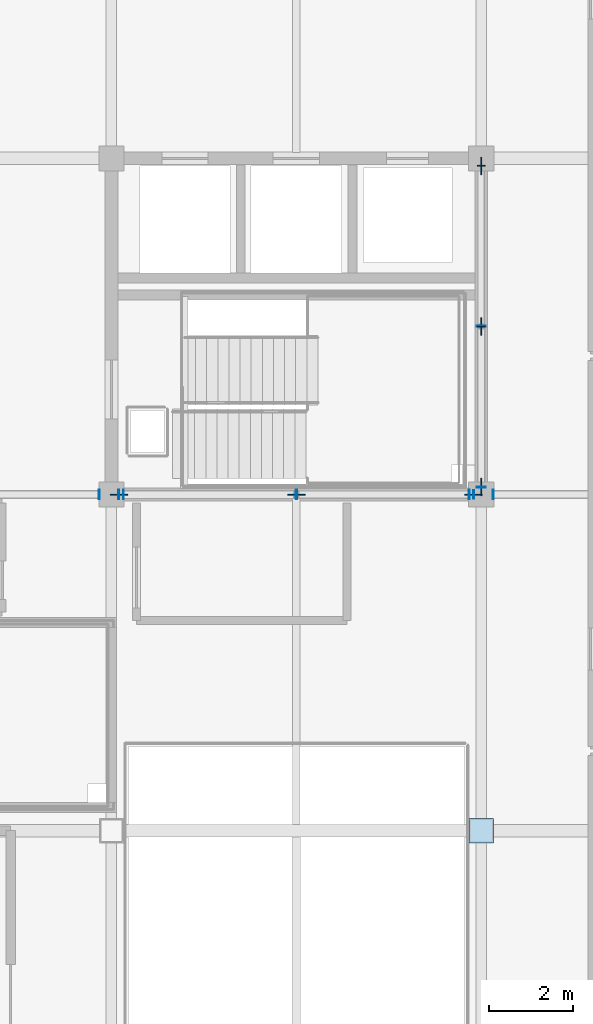
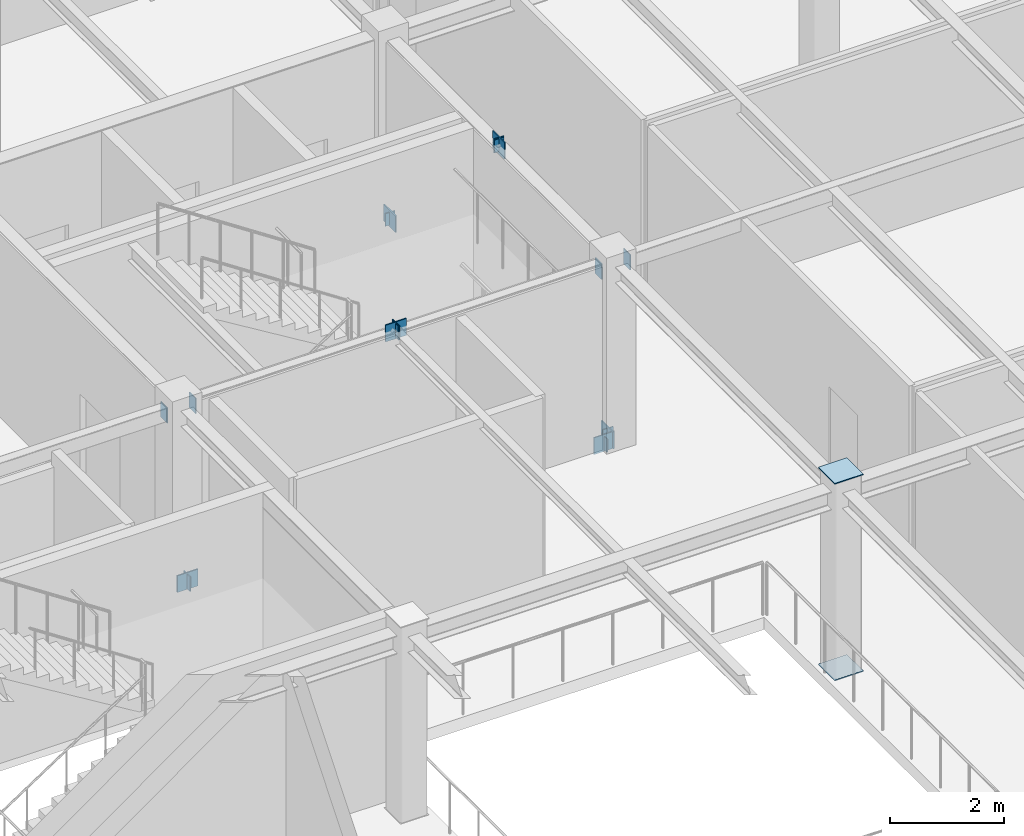
# One storey, part 50 of 88: 20 plates.
"""IFC4 building model written with IfcOpenShell, lengths in metres."""

from ifc_helpers import new_model, si_unit, direction, frame, origin, origin_2d, place, context, subcontext, project, spatial, rectangle, extrude, material, layer, layer_set, type_object, element, save


model = new_model("IFC4")

# Units and contexts
model_context = context("Model", 3, precision=1e-05, world=origin(), true_north=direction((0.0, 1.0)))
body_context = subcontext(model_context, "Body", "Model", "MODEL_VIEW")
ifc_project = project(units=[si_unit("LENGTHUNIT", "METRE"), si_unit("AREAUNIT", "SQUARE_METRE"), si_unit("VOLUMEUNIT", "CUBIC_METRE"), si_unit("PLANEANGLEUNIT", "RADIAN"), si_unit("MASSUNIT", "GRAM", prefix="KILO")], contexts=[model_context])

# Site, building, storey
site_placement = place(None, origin())
site = spatial("IfcSite", under=ifc_project, at=site_placement, CompositionType="ELEMENT")
building_placement = place(site_placement, origin())
building = spatial("IfcBuilding", under=site, at=building_placement, Name="Zhaolan Boulevard Law Courts", CompositionType="ELEMENT")
storey_placement = place(building_placement, frame((0.0, 0.0, 16.199951171875)))
storey = spatial("IfcBuildingStorey", under=building, at=storey_placement, Name="L03", CompositionType="ELEMENT", Elevation=16.199951171875)

# Plates
ifc_material_1 = material(Name="Structural steel Q355B", Category="steel")
ifc_layer_1 = layer(ifc_material_1, 0.02392578125)
ifc_layer_set_1 = layer_set([ifc_layer_1])
plate_type_1 = type_object("IfcPlateType", Name="BRACE GUSSET PLATE 24", PredefinedType="SHEET", material=ifc_layer_set_1)
for number, where, z_axis, x_axis, name in (
    (1, (17.780029296875, 46.0, -0.14990234375), (0.0, 0.0, 1.0), (1.0, 0.0, 0.0), "Brace Gusset Connection Plate GP-W1-L03-SA1"),
    (2, (26.219970703125, 46.0, -0.14990234375), (0.0, 0.0, 1.0), (1.0, 0.0, 0.0), "Brace Gusset Connection Plate GP-W1-L03-SA2"),
    (3, (22.0, 46.0, 3.740234375), (0.0, 0.0, 1.0), (1.0, 0.0, 0.0), "Brace Gusset Connection Plate GP-W1-L03-SAPX"),
    (4, (26.39990234375, 46.179931640625, -0.14990234375), (0.0, 0.0, 1.0), (0.0, 1.0, 0.0), "Brace Gusset Connection Plate GP-W1-L03-EA1"),
    (5, (26.39990234375, 53.820068359375, -0.14990234375), (0.0, 0.0, 1.0), (0.0, 1.0, 0.0), "Brace Gusset Connection Plate GP-W1-L03-EA2"),
    (6, (26.39990234375, 50.0, 3.740234375), (0.0, 0.0, 1.0), (0.0, 1.0, 0.0), "Brace Gusset Connection Plate GP-W1-L03-EAPX"),
):
    element("IfcPlate", number, at=place(storey_placement, frame(where, z_axis=z_axis, x_axis=x_axis)), inside=storey, type_object=plate_type_1, Name=name, PredefinedType="SHEET", context=body_context, shape_type="SweptSolid", body=[
        extrude(rectangle(XDim=0.419921875, YDim=0.02392578125, at=origin_2d()), origin(), (0.0, 0.0, 1.0), 0.360107421875),
    ])
ifc_material_2 = material(Name="Structural steel Q355B", Category="steel")
ifc_layer_2 = layer(ifc_material_2, 0.02001953125)
ifc_layer_set_2 = layer_set([ifc_layer_2])
plate_type_2 = type_object("IfcPlateType", Name="END CAP PLATE 20", PredefinedType="SHEET", material=ifc_layer_set_2)
for number, where, z_axis, x_axis, name in (
    (7, (26.39990234375, 38.0, -0.01806640625), (0.0, 0.0, 1.0), (1.0, 0.0, 0.0), "Hollow Section End-Cap Plate ECP-0343"),
    (8, (26.39990234375, 38.0, 4.197998046875), (0.0, 0.0, 1.0), (1.0, 0.0, 0.0), "Hollow Section End-Cap Plate ECP-0344"),
):
    element("IfcPlate", number, at=place(storey_placement, frame(where, z_axis=z_axis, x_axis=x_axis)), inside=storey, type_object=plate_type_2, Name=name, PredefinedType="SHEET", context=body_context, shape_type="SweptSolid", body=[
        extrude(rectangle(XDim=0.580078125, YDim=0.580078125, at=origin_2d()), origin(), (0.0, 0.0, 1.0), 0.02001953125),
    ])
for number, where, z_axis, x_axis, name in (
    (9, (17.31201171875, 46.0, 3.633056640625), (0.0, 0.0, 1.0), (1.0, 0.0, 0.0), "Hollow Section End-Cap Plate ECP-0890"),
    (10, (17.887939453125, 46.0, 3.633056640625), (0.0, 0.0, 1.0), (1.0, 0.0, 0.0), "Hollow Section End-Cap Plate ECP-0891"),
    (11, (26.112060546875, 46.0, 3.633056640625), (0.0, 0.0, 1.0), (1.0, 0.0, 0.0), "Hollow Section End-Cap Plate ECP-0892"),
    (12, (26.68798828125, 46.0, 3.633056640625), (0.0, 0.0, 1.0), (1.0, 0.0, 0.0), "Hollow Section End-Cap Plate ECP-0893"),
):
    element("IfcPlate", number, at=place(storey_placement, frame(where, z_axis=z_axis, x_axis=x_axis)), inside=storey, type_object=plate_type_2, Name=name, PredefinedType="SHEET", context=body_context, shape_type="SweptSolid", body=[
        extrude(rectangle(XDim=0.02001953125, YDim=0.22998046875, at=origin_2d()), origin(), (0.0, 0.0, 1.0), 0.330078125),
    ])
for number, where, z_axis, x_axis, name in (
    (13, (17.774169921875, 46.0, -0.1318359375), (0.0, 0.0, 1.0), (1.0, 0.0, 0.0), "Hollow Section End-Cap Plate ECP-1079"),
    (14, (22.005859375, 46.0, 3.76904296875), (0.0, 0.0, 1.0), (1.0, 0.0, 0.0), "Hollow Section End-Cap Plate ECP-1080"),
):
    element("IfcPlate", number, at=place(storey_placement, frame(where, z_axis=z_axis, x_axis=x_axis)), inside=storey, type_object=plate_type_2, Name=name, PredefinedType="SHEET", context=body_context, shape_type="SweptSolid", body=[
        extrude(rectangle(XDim=0.02001953125, YDim=0.22998046875, at=origin_2d()), origin(), (0.0, 0.0, 1.0), 0.31298828125),
    ])
for number, where, z_axis, x_axis, name in (
    (15, (26.225830078125, 46.0, -0.1181640625), (0.0, 0.0, 1.0), (-1.0, 0.0, 0.0), "Hollow Section End-Cap Plate ECP-1081"),
    (16, (21.994140625, 46.0, 3.78271484375), (0.0, 0.0, 1.0), (-1.0, 0.0, 0.0), "Hollow Section End-Cap Plate ECP-1082"),
):
    element("IfcPlate", number, at=place(storey_placement, frame(where, z_axis=z_axis, x_axis=x_axis)), inside=storey, type_object=plate_type_2, Name=name, PredefinedType="SHEET", context=body_context, shape_type="SweptSolid", body=[
        extrude(rectangle(XDim=0.02001953125, YDim=0.2099609375, at=origin_2d()), origin(), (0.0, 0.0, 1.0), 0.285888671875),
    ])
for number, where, z_axis, x_axis, name in (
    (17, (26.39990234375, 46.17431640625, -0.12548828125), (0.0, 0.0, 1.0), (0.0, 1.0, 0.0), "Hollow Section End-Cap Plate ECP-1083"),
    (18, (26.39990234375, 50.005615234375, 3.77587890625), (0.0, 0.0, 1.0), (0.0, 1.0, 0.0), "Hollow Section End-Cap Plate ECP-1084"),
):
    element("IfcPlate", number, at=place(storey_placement, frame(where, z_axis=z_axis, x_axis=x_axis)), inside=storey, type_object=plate_type_2, Name=name, PredefinedType="SHEET", context=body_context, shape_type="SweptSolid", body=[
        extrude(rectangle(XDim=0.02001953125, YDim=0.2099609375, at=origin_2d()), origin(), (0.0, 0.0, 1.0), 0.300048828125),
    ])
for number, where, z_axis, x_axis, name in (
    (19, (26.39990234375, 53.82568359375, -0.111083984375), (0.0, 0.0, 1.0), (0.0, -1.0, 0.0), "Hollow Section End-Cap Plate ECP-1085"),
    (20, (26.39990234375, 49.994384765625, 3.790283203125), (0.0, 0.0, 1.0), (0.0, -1.0, 0.0), "Hollow Section End-Cap Plate ECP-1086"),
):
    element("IfcPlate", number, at=place(storey_placement, frame(where, z_axis=z_axis, x_axis=x_axis)), inside=storey, type_object=plate_type_2, Name=name, PredefinedType="SHEET", context=body_context, shape_type="SweptSolid", body=[
        extrude(rectangle(XDim=0.02001953125, YDim=0.18994140625, at=origin_2d()), origin(), (0.0, 0.0, 1.0), 0.27099609375),
    ])

save(model, "model.ifc")
